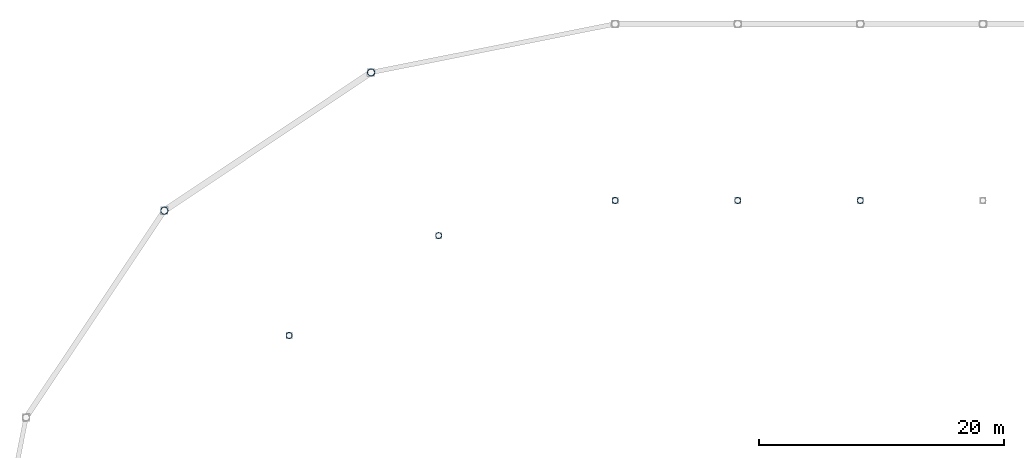
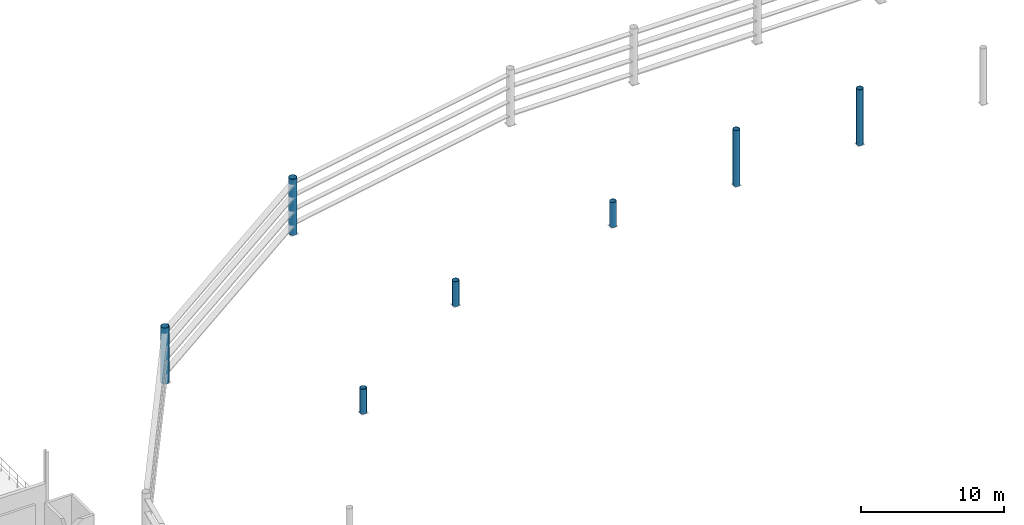
# One storey, part 9 of 29: 7 columns.
"""IFC4 building model written with IfcOpenShell, lengths in metres."""

from ifc_helpers import new_model, si_unit, direction, frame, origin, origin_2d, place, context, subcontext, project, spatial, hollow_circle, extrude, material, material_profile, profile_set, type_object, element, save


model = new_model("IFC4")

# Units and contexts
model_context = context("Model", 3, precision=1e-05, world=origin(), true_north=direction((0.0, 1.0)))
body_context = subcontext(model_context, "Body", "Model", "MODEL_VIEW")
ifc_project = project(units=[si_unit("LENGTHUNIT", "METRE"), si_unit("AREAUNIT", "SQUARE_METRE"), si_unit("VOLUMEUNIT", "CUBIC_METRE"), si_unit("PLANEANGLEUNIT", "RADIAN"), si_unit("MASSUNIT", "GRAM", prefix="KILO")], contexts=[model_context])

# Site, building, storey
site_placement = place(None, origin())
site = spatial("IfcSite", under=ifc_project, at=site_placement, CompositionType="ELEMENT")
building_placement = place(site_placement, origin())
building = spatial("IfcBuilding", under=site, at=building_placement, Name="Candeia Ridge Stadium", CompositionType="ELEMENT")
storey_placement = place(building_placement, frame((0.0, 0.0, 27.0)))
storey = spatial("IfcBuildingStorey", under=building, at=storey_placement, Name="L05", CompositionType="ELEMENT", Elevation=27.0)

# Columns
ifc_material = material(Name="Steel ASTM A572 Grade 50", Category="steel")
ifc_material_profile_1 = material_profile(ifc_material, hollow_circle(Radius=0.25390625, WallThickness=0.02197265625, at=origin_2d()), Name="CHS508x22", Category="steel")
ifc_profile_set_1 = profile_set([ifc_material_profile_1], Name="Steel ASTM A572 Grade 50")
column_type_1 = type_object("IfcColumnType", Name="Roof Inner Mast CHS508x22", PredefinedType="PILASTER", material=ifc_profile_set_1)
for number, where, z_axis, x_axis, name in (
    (1, (91.0, 132.60009765625, 0.0), (0.0, 0.0, 1.0), (1.0, 0.0, 0.0), "Roof truss steel mast column BC-MD-05 L05"),
    (2, (81.0, 132.60009765625, 0.0), (0.0, 0.0, 1.0), (1.0, 0.0, 0.0), "Roof truss steel mast column BC-MD-06 L05"),
):
    element("IfcColumn", number, at=place(storey_placement, frame(where, z_axis=z_axis, x_axis=x_axis)), inside=storey, type_object=column_type_1, Name=name, PredefinedType="PILASTER", context=body_context, shape_type="SweptSolid", body=[
        extrude(hollow_circle(Radius=0.25390625, WallThickness=0.02197265625, at=origin_2d()), origin(), (0.0, 0.0, 1.0), 4.800048828125),
    ])
for number, where, z_axis, x_axis, name in (
    (3, (71.0, 132.60009765625, 0.0), (0.0, 0.0, 1.0), (1.0, 0.0, 0.0), "Roof truss steel mast column BC-MD-07 L05"),
    (4, (56.611083984375, 129.73779296875, 0.0), (0.0, 0.0, 1.0), (1.0, 0.0, 0.0), "Roof truss steel mast column BC-MD-08 L05"),
    (5, (44.412841796875, 121.587158203125, 0.0), (0.0, 0.0, 1.0), (1.0, 0.0, 0.0), "Roof truss steel mast column BC-MD-09 L05"),
):
    element("IfcColumn", number, at=place(storey_placement, frame(where, z_axis=z_axis, x_axis=x_axis)), inside=storey, type_object=column_type_1, Name=name, PredefinedType="PILASTER", context=body_context, shape_type="SweptSolid", body=[
        extrude(hollow_circle(Radius=0.25390625, WallThickness=0.02197265625, at=origin_2d()), origin(), (0.0, 0.0, 1.0), 2.135986328125),
    ])
ifc_material_profile_2 = material_profile(ifc_material, hollow_circle(Radius=0.304931640625, WallThickness=0.02490234375, at=origin_2d()), Name="CHS610x25", Category="steel")
ifc_profile_set_2 = profile_set([ifc_material_profile_2], Name="Steel ASTM A572 Grade 50")
column_type_2 = type_object("IfcColumnType", Name="Roof Mast Column CHS610x25", PredefinedType="PILASTER", material=ifc_profile_set_2)
for number, where, z_axis, x_axis, name in (
    (6, (51.100341796875, 143.041748046875, 0.0), (0.0, 0.0, 1.0), (1.0, 0.0, 0.0), "Roof truss steel mast column BC-OU-08 L05"),
    (7, (34.23046875, 131.76953125, 0.0), (0.0, 0.0, 1.0), (1.0, 0.0, 0.0), "Roof truss steel mast column BC-OU-09 L05"),
):
    element("IfcColumn", number, at=place(storey_placement, frame(where, z_axis=z_axis, x_axis=x_axis)), inside=storey, type_object=column_type_2, Name=name, PredefinedType="PILASTER", context=body_context, shape_type="SweptSolid", body=[
        extrude(hollow_circle(Radius=0.304931640625, WallThickness=0.02490234375, at=origin_2d()), origin(), (0.0, 0.0, 1.0), 4.800048828125),
    ])

save(model, "model.ifc")
